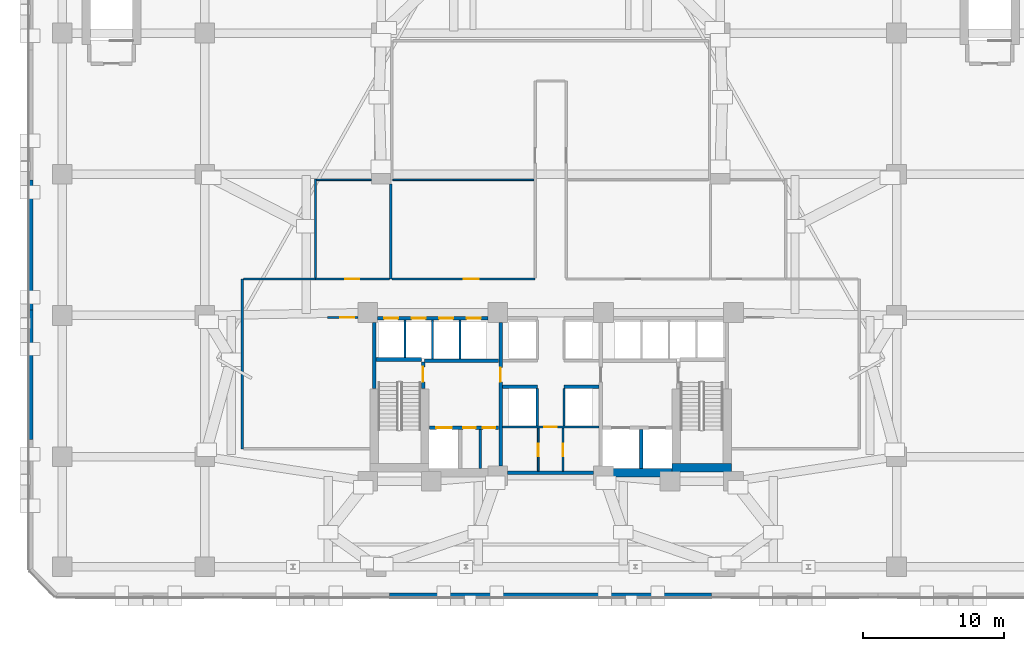
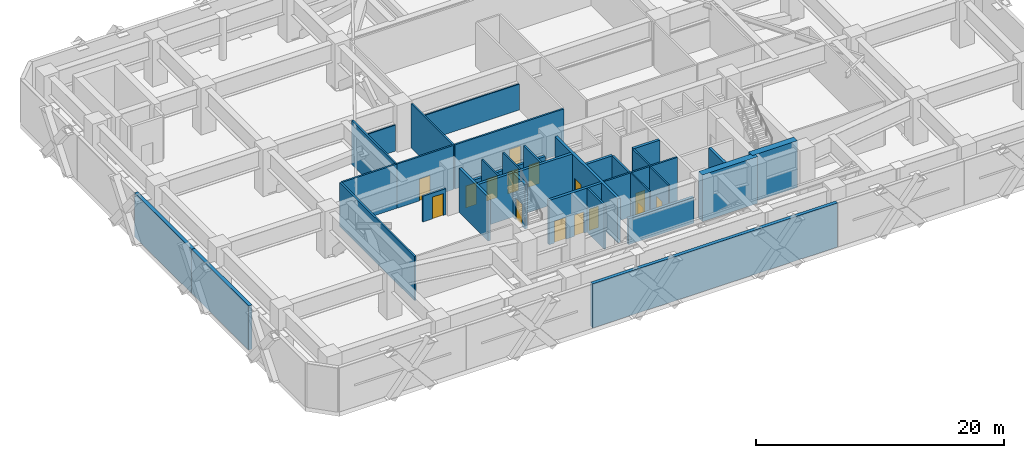
# One storey, part 9 of 14: 34 walls, 15 doors, 15 openings.
"""IFC4 building model written with IfcOpenShell, lengths in metres."""

from ifc_helpers import new_model, si_unit, direction, frame, frame_2d, origin, place, context, subcontext, project, spatial, rectangle, extrude, material, layer, layer_set, type_object, element, fill, save


model = new_model("IFC4")

# Units and contexts
model_context = context("Model", 3, precision=1e-05, world=origin(), true_north=direction((0.0, 1.0)))
body_context = subcontext(model_context, "Body", "Model", "MODEL_VIEW")
ifc_project = project(units=[si_unit("LENGTHUNIT", "METRE"), si_unit("AREAUNIT", "SQUARE_METRE"), si_unit("VOLUMEUNIT", "CUBIC_METRE"), si_unit("PLANEANGLEUNIT", "RADIAN"), si_unit("MASSUNIT", "GRAM", prefix="KILO")], contexts=[model_context])

# Site, building, storey
site_placement = place(None, origin())
site = spatial("IfcSite", under=ifc_project, at=site_placement, CompositionType="ELEMENT")
building_placement = place(site_placement, origin())
building = spatial("IfcBuilding", under=site, at=building_placement, Name="Quenlor Broadcast Tower", CompositionType="ELEMENT")
storey_placement = place(building_placement, frame((0.0, 0.0, 23.0)))
storey = spatial("IfcBuildingStorey", under=building, at=storey_placement, Name="L05", CompositionType="ELEMENT", Elevation=23.0)

# Walls
ifc_material_1 = material(Name="Concrete C65/80", Category="concrete")
ifc_layer_1 = layer(ifc_material_1, 0.60009765625)
ifc_layer_set_1 = layer_set([ifc_layer_1], Name="Core Concrete C65/80 Shear Wall 600")
wall_type_1 = type_object("IfcWallType", Name="Core Concrete C65/80 Shear Wall 600", PredefinedType="SHEAR", material=ifc_layer_set_1)
wall_1_placement = place(storey_placement, frame((3.75, -16.14990234375, 0.0), z_axis=(0.0, 0.0, 1.0), x_axis=(1.0, 0.0, 0.0)))
element("IfcWall", 1, at=wall_1_placement, inside=storey, type_object=wall_type_1, Name="L05 Core Shear Wall WS-E1", PredefinedType="SHEAR", context=body_context, shape_type="SweptSolid", body=[
    extrude(rectangle(XDim=5.14990234375, YDim=0.60009765625, at=frame_2d((2.574951171875, 0.0))), origin(), (0.0, 0.0, 1.0), 4.60009765625),
])
wall_2_placement = place(storey_placement, frame((8.60009765625, -15.800048828125, 0.0), z_axis=(0.0, 0.0, 1.0), x_axis=(1.0, 0.0, 0.0)))
element("IfcWall", 2, at=wall_2_placement, inside=storey, type_object=wall_type_1, Name="L05 Core Shear Wall WS-E2", PredefinedType="SHEAR", context=body_context, shape_type="SweptSolid", body=[
    extrude(rectangle(XDim=4.199951171875, YDim=0.60009765625, at=frame_2d((2.10009765625, 0.0))), origin(), (0.0, 0.0, 1.0), 4.60009765625),
])

# Wall, opening, door
ifc_material_2 = material(Name="Concrete C40/50", Category="concrete")
ifc_layer_2 = layer(ifc_material_2, 0.25)
ifc_layer_set_2 = layer_set([ifc_layer_2], Name="Fire Rated Concrete C40/50 Core Wall 250")
wall_type_2 = type_object("IfcWallType", Name="Fire Rated Concrete C40/50 Core Wall 250", PredefinedType="PARTITIONING", material=ifc_layer_set_2)
wall_3_placement = place(storey_placement, frame((-9.0400390625, -10.179931640625, 0.0), z_axis=(0.0, 0.0, 1.0), x_axis=(0.0, 1.0, 0.0)))
wall_3 = element("IfcWall", 3, at=wall_3_placement, inside=storey, type_object=wall_type_2, Name="L05 Interior Wall CW-ST1-DR", PredefinedType="PARTITIONING", context=body_context, shape_type="SweptSolid", body=[
    extrude(rectangle(XDim=1.89990234375, YDim=0.25, at=frame_2d((0.949951171875, 0.0))), origin(), (0.0, 0.0, 1.0), 4.35009765625),
])
opening_1_placement = place(wall_3_placement, frame((0.47998046875, 0.0, 0.0)))
opening_1 = element("IfcOpeningElement", 4, at=opening_1_placement, cuts=wall_3, Name="Opening FD-1", PredefinedType="OPENING", context=body_context, shape_type="SweptSolid", body=[
    extrude(rectangle(XDim=1.050048828125, YDim=2.14990234375, at=frame_2d((0.52490234375, 1.074951171875))), frame((0.0, 0.135009765625, 0.0), z_axis=(0.0, -1.0, 0.0), x_axis=(1.0, 0.0, 0.0)), (0.0, 0.0, 1.0), 0.27001953125),
])
ifc_material_3 = material(Name="Fire Rated Steel Door Leaf", Category="steel")
door_type_1 = type_object("IfcDoorType", Name="Fire Isolated Stair Door 1050x2150", OperationType="NOTDEFINED", PredefinedType="DOOR", material=ifc_material_3)
door_1_placement = place(opening_1_placement, origin())
door_1 = element("IfcDoor", 5, at=door_1_placement, inside=storey, type_object=door_type_1, Name="L05 Door DR-ST1", OperationType="SINGLE_SWING_LEFT", OverallHeight=2.14990234375, OverallWidth=1.050048828125, PredefinedType="DOOR", context=body_context, shape_type="SweptSolid", body=[
    extrude(rectangle(XDim=1.050048828125, YDim=2.14990234375, at=frame_2d((0.52490234375, 1.074951171875))), frame((0.0, 0.02490234375, 0.0), z_axis=(0.0, -1.0, 0.0), x_axis=(1.0, 0.0, 0.0)), (0.0, 0.0, 1.0), 0.050048828125),
])
fill(opening_1, door_1)

# Walls
wall_4_placement = place(storey_placement, frame((-12.3798828125, -8.1201171875, 0.0), z_axis=(0.0, 0.0, 1.0), x_axis=(1.0, 0.0, 0.0)))
element("IfcWall", 6, at=wall_4_placement, inside=storey, type_object=wall_type_2, Name="L05 Interior Wall CW-ST1-N", PredefinedType="PARTITIONING", context=body_context, shape_type="SweptSolid", body=[
    extrude(rectangle(XDim=3.219970703125, YDim=0.25, at=frame_2d((1.60986328125, 0.0))), origin(), (0.0, 0.0, 1.0), 4.35009765625),
])
wall_5_placement = place(storey_placement, frame((-12.47998046875, -10.179931640625, 0.0), z_axis=(0.0, 0.0, 1.0), x_axis=(0.0, 1.0, 0.0)))
element("IfcWall", 7, at=wall_5_placement, inside=storey, type_object=wall_type_2, Name="L05 Interior Wall CW-ST1-W2", PredefinedType="PARTITIONING", context=body_context, shape_type="SweptSolid", body=[
    extrude(rectangle(XDim=4.677978515625, YDim=0.25, at=frame_2d((2.3388671875, 0.0))), origin(), (0.0, 0.0, 1.0), 4.35009765625),
])

# Wall, openings, doors
wall_6_placement = place(storey_placement, frame((-8.597900390625, -12.949951171875, 0.0), z_axis=(0.0, 0.0, 1.0), x_axis=(1.0, 0.0, 0.0)))
wall_6 = element("IfcWall", 8, at=wall_6_placement, inside=storey, type_object=wall_type_2, Name="L05 Interior Wall CW-FFW-S", PredefinedType="PARTITIONING", context=body_context, shape_type="SweptSolid", body=[
    extrude(rectangle(XDim=4.91796875, YDim=0.25, at=frame_2d((2.458984375, 0.0))), origin(), (0.0, 0.0, 1.0), 4.35009765625),
])
opening_2_placement = place(wall_6_placement, frame((0.498046875, 0.0, 0.0)))
opening_2 = element("IfcOpeningElement", 9, at=opening_2_placement, cuts=wall_6, Name="Opening LD-FFL-1", PredefinedType="OPENING", context=body_context, shape_type="SweptSolid", body=[
    extrude(rectangle(XDim=1.10009765625, YDim=2.14990234375, at=frame_2d((0.550048828125, 1.074951171875))), frame((0.0, 0.135009765625, 0.0), z_axis=(0.0, -1.0, 0.0), x_axis=(1.0, 0.0, 0.0)), (0.0, 0.0, 1.0), 0.27001953125),
])
opening_3_placement = place(wall_6_placement, frame((2.39794921875, 0.0, 0.0)))
opening_3 = element("IfcOpeningElement", 10, at=opening_3_placement, cuts=wall_6, Name="Opening TD-1", PredefinedType="OPENING", context=body_context, shape_type="SweptSolid", body=[
    extrude(rectangle(XDim=0.8798828125, YDim=2.10009765625, at=frame_2d((0.43994140625, 1.050048828125))), frame((0.0, 0.135009765625, 0.0), z_axis=(0.0, -1.0, 0.0), x_axis=(1.0, 0.0, 0.0)), (0.0, 0.0, 1.0), 0.27001953125),
])
opening_4_placement = place(wall_6_placement, frame((3.798095703125, 0.0, 0.0)))
opening_4 = element("IfcOpeningElement", 11, at=opening_4_placement, cuts=wall_6, Name="Opening TD-1", PredefinedType="OPENING", context=body_context, shape_type="SweptSolid", body=[
    extrude(rectangle(XDim=0.8798828125, YDim=2.10009765625, at=frame_2d((0.43994140625, 1.050048828125))), frame((0.0, 0.135009765625, 0.0), z_axis=(0.0, -1.0, 0.0), x_axis=(1.0, 0.0, 0.0)), (0.0, 0.0, 1.0), 0.27001953125),
])
ifc_material_4 = material(Name="Brushed Stainless Steel", Category="steel")
door_type_2 = type_object("IfcDoorType", Name="Emergency Lift Sliding Landing Door 1100x2150", OperationType="NOTDEFINED", PredefinedType="DOOR", material=ifc_material_4)
door_2_placement = place(opening_2_placement, origin())
door_2 = element("IfcDoor", 12, at=door_2_placement, inside=storey, type_object=door_type_2, Name="L05 Door LD-FFL-1", OperationType="SLIDING_TO_LEFT", OverallHeight=2.14990234375, OverallWidth=1.10009765625, PredefinedType="DOOR", context=body_context, shape_type="SweptSolid", body=[
    extrude(rectangle(XDim=1.10009765625, YDim=2.14990234375, at=frame_2d((0.550048828125, 1.074951171875))), frame((0.0, 0.02490234375, 0.0), z_axis=(0.0, -1.0, 0.0), x_axis=(1.0, 0.0, 0.0)), (0.0, 0.0, 1.0), 0.050048828125),
])
fill(opening_2, door_2)
ifc_material_5 = material(Name="Fire Rated Steel Access Panel", Category="steel")
door_type_3 = type_object("IfcDoorType", Name="Riser Shaft Rated Access Trapdoor 880x2100", OperationType="NOTDEFINED", PredefinedType="TRAPDOOR", material=ifc_material_5)
door_3_placement = place(opening_3_placement, origin())
door_3 = element("IfcDoor", 13, at=door_3_placement, inside=storey, type_object=door_type_3, Name="L05 Door DR-ELR", OperationType="SINGLE_SWING_LEFT", OverallHeight=2.10009765625, OverallWidth=0.8798828125, PredefinedType="TRAPDOOR", context=body_context, shape_type="SweptSolid", body=[
    extrude(rectangle(XDim=0.8798828125, YDim=2.10009765625, at=frame_2d((0.43994140625, 1.050048828125))), frame((0.0, 0.02490234375, 0.0), z_axis=(0.0, -1.0, 0.0), x_axis=(1.0, 0.0, 0.0)), (0.0, 0.0, 1.0), 0.050048828125),
])
fill(opening_3, door_3)
door_4_placement = place(opening_4_placement, origin())
door_4 = element("IfcDoor", 14, at=door_4_placement, inside=storey, type_object=door_type_3, Name="L05 Door DR-CMR", OperationType="SINGLE_SWING_RIGHT", OverallHeight=2.10009765625, OverallWidth=0.8798828125, PredefinedType="TRAPDOOR", context=body_context, shape_type="SweptSolid", body=[
    extrude(rectangle(XDim=0.8798828125, YDim=2.10009765625, at=frame_2d((0.43994140625, 1.050048828125))), frame((0.0, 0.02490234375, 0.0), z_axis=(0.0, -1.0, 0.0), x_axis=(1.0, 0.0, 0.0)), (0.0, 0.0, 1.0), 0.050048828125),
])
fill(opening_4, door_4)

# Walls
wall_7_placement = place(storey_placement, frame((6.39990234375, -15.847900390625, 0.0), z_axis=(0.0, 0.0, 1.0), x_axis=(0.0, 1.0, 0.0)))
element("IfcWall", 15, at=wall_7_placement, inside=storey, type_object=wall_type_2, Name="L05 Interior Wall CW-SV1-E", PredefinedType="PARTITIONING", context=body_context, shape_type="SweptSolid", body=[
    extrude(rectangle(XDim=2.7578125, YDim=0.25, at=frame_2d((1.37890625, 0.0))), origin(), (0.0, 0.0, 1.0), 4.35009765625),
])
wall_8_placement = place(storey_placement, frame((-8.919921875, -8.199951171875, 0.0), z_axis=(0.0, 0.0, 1.0), x_axis=(1.0, 0.0, 0.0)))
element("IfcWall", 16, at=wall_8_placement, inside=storey, type_object=wall_type_2, Name="L05 Interior Wall CW-FFW-N", PredefinedType="PARTITIONING", context=body_context, shape_type="SweptSolid", body=[
    extrude(rectangle(XDim=5.239990234375, YDim=0.25, at=frame_2d((2.6201171875, 0.0))), origin(), (0.0, 0.0, 1.0), 4.35009765625),
])

# Wall, opening, door
wall_9_placement = place(storey_placement, frame((-3.550048828125, -15.64794921875, 0.0), z_axis=(0.0, 0.0, 1.0), x_axis=(0.0, 1.0, 0.0)))
wall_9 = element("IfcWall", 17, at=wall_9_placement, inside=storey, type_object=wall_type_2, Name="L05 Interior Wall CW-FFW-E", PredefinedType="PARTITIONING", context=body_context, shape_type="SweptSolid", body=[
    extrude(rectangle(XDim=10.14599609375, YDim=0.25, at=frame_2d((5.072998046875, 0.0))), origin(), (0.0, 0.0, 1.0), 4.35009765625),
])
opening_5_placement = place(wall_9_placement, frame((5.947998046875, 0.0, 0.0)))
opening_5 = element("IfcOpeningElement", 18, at=opening_5_placement, cuts=wall_9, Name="Opening FD-2", PredefinedType="OPENING", context=body_context, shape_type="SweptSolid", body=[
    extrude(rectangle(XDim=1.0, YDim=2.14990234375, at=frame_2d((0.5, 1.074951171875))), frame((0.0, 0.135009765625, 0.0), z_axis=(0.0, -1.0, 0.0), x_axis=(1.0, 0.0, 0.0)), (0.0, 0.0, 1.0), 0.27001953125),
])
ifc_material_6 = material(Name="Fire Rated Glazed Steel Door", Category="steel")
door_type_4 = type_object("IfcDoorType", Name="Firefighting Lobby Smoke Door 1000x2150", OperationType="NOTDEFINED", PredefinedType="DOOR", material=ifc_material_6)
door_5_placement = place(opening_5_placement, origin())
door_5 = element("IfcDoor", 19, at=door_5_placement, inside=storey, type_object=door_type_4, Name="L05 Door DR-FFLW", OperationType="SINGLE_SWING_RIGHT", OverallHeight=2.14990234375, OverallWidth=1.0, PredefinedType="DOOR", context=body_context, shape_type="SweptSolid", body=[
    extrude(rectangle(XDim=1.0, YDim=2.14990234375, at=frame_2d((0.5, 1.074951171875))), frame((0.0, 0.02490234375, 0.0), z_axis=(0.0, -1.0, 0.0), x_axis=(1.0, 0.0, 0.0)), (0.0, 0.0, 1.0), 0.050048828125),
])
fill(opening_5, door_5)

# Wall, openings, doors
wall_10_placement = place(storey_placement, frame((-12.248046875, -5.199951171875, 0.0), z_axis=(0.0, 0.0, 1.0), x_axis=(1.0, 0.0, 0.0)))
wall_10 = element("IfcWall", 20, at=wall_10_placement, inside=storey, type_object=wall_type_2, Name="L05 Interior Wall CW-N-W", PredefinedType="PARTITIONING", context=body_context, shape_type="SweptSolid", body=[
    extrude(rectangle(XDim=7.796142578125, YDim=0.25, at=frame_2d((3.89794921875, 0.0))), origin(), (0.0, 0.0, 1.0), 2.550048828125),
])
opening_6_placement = place(wall_10_placement, frame((0.447998046875, 0.0, 0.0)))
opening_6 = element("IfcOpeningElement", 21, at=opening_6_placement, cuts=wall_10, Name="Opening LD-PL-L1", PredefinedType="OPENING", context=body_context, shape_type="SweptSolid", body=[
    extrude(rectangle(XDim=1.0, YDim=2.14990234375, at=frame_2d((0.5, 1.074951171875))), frame((0.0, 0.135009765625, 0.0), z_axis=(0.0, -1.0, 0.0), x_axis=(1.0, 0.0, 0.0)), (0.0, 0.0, 1.0), 0.27001953125),
])
opening_7_placement = place(wall_10_placement, frame((2.39794921875, 0.0, 0.0)))
opening_7 = element("IfcOpeningElement", 22, at=opening_7_placement, cuts=wall_10, Name="Opening LD-PL-L2", PredefinedType="OPENING", context=body_context, shape_type="SweptSolid", body=[
    extrude(rectangle(XDim=1.0, YDim=2.14990234375, at=frame_2d((0.5, 1.074951171875))), frame((0.0, 0.135009765625, 0.0), z_axis=(0.0, -1.0, 0.0), x_axis=(1.0, 0.0, 0.0)), (0.0, 0.0, 1.0), 0.27001953125),
])
opening_8_placement = place(wall_10_placement, frame((4.347900390625, 0.0, 0.0)))
opening_8 = element("IfcOpeningElement", 23, at=opening_8_placement, cuts=wall_10, Name="Opening LD-PL-L3", PredefinedType="OPENING", context=body_context, shape_type="SweptSolid", body=[
    extrude(rectangle(XDim=1.0, YDim=2.14990234375, at=frame_2d((0.5, 1.074951171875))), frame((0.0, 0.135009765625, 0.0), z_axis=(0.0, -1.0, 0.0), x_axis=(1.0, 0.0, 0.0)), (0.0, 0.0, 1.0), 0.27001953125),
])
opening_9_placement = place(wall_10_placement, frame((6.298095703125, 0.0, 0.0)))
opening_9 = element("IfcOpeningElement", 24, at=opening_9_placement, cuts=wall_10, Name="Opening LD-PL-L4", PredefinedType="OPENING", context=body_context, shape_type="SweptSolid", body=[
    extrude(rectangle(XDim=1.0, YDim=2.14990234375, at=frame_2d((0.5, 1.074951171875))), frame((0.0, 0.135009765625, 0.0), z_axis=(0.0, -1.0, 0.0), x_axis=(1.0, 0.0, 0.0)), (0.0, 0.0, 1.0), 0.27001953125),
])
ifc_material_7 = material(Name="Brushed Stainless Steel", Category="steel")
door_type_5 = type_object("IfcDoorType", Name="Passenger Lift Sliding Landing Door 1000x2150", OperationType="NOTDEFINED", PredefinedType="DOOR", material=ifc_material_7)
door_6_placement = place(opening_6_placement, origin())
door_6 = element("IfcDoor", 25, at=door_6_placement, inside=storey, type_object=door_type_5, Name="L05 Door LD-PL-L1", OperationType="SLIDING_TO_LEFT", OverallHeight=2.14990234375, OverallWidth=1.0, PredefinedType="DOOR", context=body_context, shape_type="SweptSolid", body=[
    extrude(rectangle(XDim=1.0, YDim=2.14990234375, at=frame_2d((0.5, 1.074951171875))), frame((0.0, 0.02490234375, 0.0), z_axis=(0.0, -1.0, 0.0), x_axis=(1.0, 0.0, 0.0)), (0.0, 0.0, 1.0), 0.050048828125),
])
fill(opening_6, door_6)
door_7_placement = place(opening_7_placement, origin())
door_7 = element("IfcDoor", 26, at=door_7_placement, inside=storey, type_object=door_type_5, Name="L05 Door LD-PL-L2", OperationType="SLIDING_TO_LEFT", OverallHeight=2.14990234375, OverallWidth=1.0, PredefinedType="DOOR", context=body_context, shape_type="SweptSolid", body=[
    extrude(rectangle(XDim=1.0, YDim=2.14990234375, at=frame_2d((0.5, 1.074951171875))), frame((0.0, 0.02490234375, 0.0), z_axis=(0.0, -1.0, 0.0), x_axis=(1.0, 0.0, 0.0)), (0.0, 0.0, 1.0), 0.050048828125),
])
fill(opening_7, door_7)
door_8_placement = place(opening_8_placement, origin())
door_8 = element("IfcDoor", 27, at=door_8_placement, inside=storey, type_object=door_type_5, Name="L05 Door LD-PL-L3", OperationType="SLIDING_TO_LEFT", OverallHeight=2.14990234375, OverallWidth=1.0, PredefinedType="DOOR", context=body_context, shape_type="SweptSolid", body=[
    extrude(rectangle(XDim=1.0, YDim=2.14990234375, at=frame_2d((0.5, 1.074951171875))), frame((0.0, 0.02490234375, 0.0), z_axis=(0.0, -1.0, 0.0), x_axis=(1.0, 0.0, 0.0)), (0.0, 0.0, 1.0), 0.050048828125),
])
fill(opening_8, door_8)
door_9_placement = place(opening_9_placement, origin())
door_9 = element("IfcDoor", 28, at=door_9_placement, inside=storey, type_object=door_type_5, Name="L05 Door LD-PL-L4", OperationType="SLIDING_TO_LEFT", OverallHeight=2.14990234375, OverallWidth=1.0, PredefinedType="DOOR", context=body_context, shape_type="SweptSolid", body=[
    extrude(rectangle(XDim=1.0, YDim=2.14990234375, at=frame_2d((0.5, 1.074951171875))), frame((0.0, 0.02490234375, 0.0), z_axis=(0.0, -1.0, 0.0), x_axis=(1.0, 0.0, 0.0)), (0.0, 0.0, 1.0), 0.050048828125),
])
fill(opening_9, door_9)

# Walls
wall_11_placement = place(storey_placement, frame((-3.048095703125, -16.14990234375, 0.0), z_axis=(0.0, 0.0, 1.0), x_axis=(1.0, 0.0, 0.0)))
element("IfcWall", 29, at=wall_11_placement, inside=storey, type_object=wall_type_2, Name="L05 Interior Wall CW-MS-S", PredefinedType="PARTITIONING", context=body_context, shape_type="SweptSolid", body=[
    extrude(rectangle(XDim=6.09619140625, YDim=0.25, at=frame_2d((3.048095703125, 0.0))), origin(), (0.0, 0.0, 1.0), 2.550048828125),
])
for number, where, z_axis, x_axis, name in (
    (30, (-3.419921875, -10.050048828125, 0.0), (0.0, 0.0, 1.0), (1.0, 0.0, 0.0), "L05 Interior Wall CW-MS-N1"),
    (31, (0.949951171875, -10.050048828125, 0.0), (0.0, 0.0, 1.0), (1.0, 0.0, 0.0), "L05 Interior Wall CW-MS-N2"),
):
    element("IfcWall", number, at=place(storey_placement, frame(where, z_axis=z_axis, x_axis=x_axis)), inside=storey, type_object=wall_type_2, Name=name, PredefinedType="PARTITIONING", context=body_context, shape_type="SweptSolid", body=[
        extrude(rectangle(XDim=2.469970703125, YDim=0.25, at=frame_2d((1.23486328125, 0.0))), origin(), (0.0, 0.0, 1.0), 4.35009765625),
    ])
ifc_material_8 = material(Name="Gypsum Fireboard Partition", Category="other")
ifc_layer_3 = layer(ifc_material_8, 0.159912109375)
ifc_layer_set_3 = layer_set([ifc_layer_3], Name="Fire Rated Shaft and Corridor Partition 160")
wall_type_3 = type_object("IfcWallType", Name="Fire Rated Shaft and Corridor Partition 160", PredefinedType="PARTITIONING", material=ifc_layer_set_3)
wall_12_placement = place(storey_placement, frame((-4.97998046875, -15.847900390625, 0.0), z_axis=(0.0, 0.0, 1.0), x_axis=(0.0, 1.0, 0.0)))
element("IfcWall", 32, at=wall_12_placement, inside=storey, type_object=wall_type_3, Name="L05 Interior Wall CW-ELR-E", PredefinedType="PARTITIONING", context=body_context, shape_type="SweptSolid", body=[
    extrude(rectangle(XDim=2.7578125, YDim=0.159912109375, at=frame_2d((1.37890625, 0.0))), origin(), (0.0, 0.0, 1.0), 4.35009765625),
])
wall_13_placement = place(storey_placement, frame((-10.324951171875, -7.992919921875, 0.0), z_axis=(0.0, 0.0, 1.0), x_axis=(0.0, 1.0, 0.0)))
element("IfcWall", 33, at=wall_13_placement, inside=storey, type_object=wall_type_3, Name="L05 Interior Wall CW-PLL-D1", PredefinedType="PARTITIONING", context=body_context, shape_type="SweptSolid", body=[
    extrude(rectangle(XDim=2.65283203125, YDim=0.159912109375, at=frame_2d((1.326416015625, 0.0))), origin(), (0.0, 0.0, 1.0), 4.35009765625),
])
for number, where, z_axis, x_axis, name in (
    (34, (-8.375, -8.072998046875, 0.0), (0.0, 0.0, 1.0), (0.0, 1.0, 0.0), "L05 Interior Wall CW-PLL-D2"),
    (35, (-6.425048828125, -8.072998046875, 0.0), (0.0, 0.0, 1.0), (0.0, 1.0, 0.0), "L05 Interior Wall CW-PLL-D3"),
):
    element("IfcWall", number, at=place(storey_placement, frame(where, z_axis=z_axis, x_axis=x_axis)), inside=storey, type_object=wall_type_3, Name=name, PredefinedType="PARTITIONING", context=body_context, shape_type="SweptSolid", body=[
        extrude(rectangle(XDim=2.73291015625, YDim=0.159912109375, at=frame_2d((1.366455078125, 0.0))), origin(), (0.0, 0.0, 1.0), 4.35009765625),
    ])

# Wall, opening, door
wall_14_placement = place(storey_placement, frame((-3.419921875, -12.89990234375, 0.0), z_axis=(0.0, 0.0, 1.0), x_axis=(1.0, 0.0, 0.0)))
wall_14 = element("IfcWall", 36, at=wall_14_placement, inside=storey, type_object=wall_type_3, Name="L05 Interior Wall CW-MS-B", PredefinedType="PARTITIONING", context=body_context, shape_type="SweptSolid", body=[
    extrude(rectangle(XDim=6.83984375, YDim=0.159912109375, at=frame_2d((3.419921875, 0.0))), origin(), (0.0, 0.0, 1.0), 4.35009765625),
])
opening_10_placement = place(wall_14_placement, frame((2.97998046875, 0.0, 0.0)))
opening_10 = element("IfcOpeningElement", 37, at=opening_10_placement, cuts=wall_14, Name="Opening ID-4", PredefinedType="OPENING", context=body_context, shape_type="SweptSolid", body=[
    extrude(rectangle(XDim=0.8798828125, YDim=2.1201171875, at=frame_2d((0.43994140625, 1.06005859375))), frame((0.0, 0.08984375, 0.0), z_axis=(0.0, -1.0, 0.0), x_axis=(1.0, 0.0, 0.0)), (0.0, 0.0, 1.0), 0.179931640625),
])
ifc_material_9 = material(Name="Solid Core Timber Oak", Category="wood")
door_type_6 = type_object("IfcDoorType", Name="Service Closet Timber Door 880x2120", OperationType="NOTDEFINED", PredefinedType="DOOR", material=ifc_material_9)
door_10_placement = place(opening_10_placement, origin())
door_10 = element("IfcDoor", 38, at=door_10_placement, inside=storey, type_object=door_type_6, Name="L05 Door DR-CSV0", OperationType="SINGLE_SWING_LEFT", OverallHeight=2.1201171875, OverallWidth=0.8798828125, PredefinedType="DOOR", context=body_context, shape_type="SweptSolid", body=[
    extrude(rectangle(XDim=0.8798828125, YDim=2.1201171875, at=frame_2d((0.43994140625, 1.06005859375))), frame((0.0, 0.02490234375, 0.0), z_axis=(0.0, -1.0, 0.0), x_axis=(1.0, 0.0, 0.0)), (0.0, 0.0, 1.0), 0.050048828125),
])
fill(opening_10, door_10)

# Walls
for number, where, z_axis, x_axis, name in (
    (39, (-0.949951171875, -12.818115234375, 0.0), (0.0, 0.0, 1.0), (0.0, 1.0, 0.0), "L05 Interior Wall CW-MS-W"),
    (40, (0.949951171875, -12.818115234375, 0.0), (0.0, 0.0, 1.0), (0.0, 1.0, 0.0), "L05 Interior Wall CW-MS-E"),
):
    element("IfcWall", number, at=place(storey_placement, frame(where, z_axis=z_axis, x_axis=x_axis)), inside=storey, type_object=wall_type_3, Name=name, PredefinedType="PARTITIONING", context=body_context, shape_type="SweptSolid", body=[
        extrude(rectangle(XDim=2.63818359375, YDim=0.159912109375, at=frame_2d((1.319091796875, 0.0))), origin(), (0.0, 0.0, 1.0), 4.35009765625),
    ])
wall_15_placement = place(storey_placement, frame((-21.85009765625, -14.449951171875, 0.0), z_axis=(0.0, 0.0, 1.0), x_axis=(0.0, 1.0, 0.0)))
element("IfcWall", 41, at=wall_15_placement, inside=storey, type_object=wall_type_3, Name="L05 Interior Wall PW-L05-RW-W", PredefinedType="PARTITIONING", context=body_context, shape_type="SweptSolid", body=[
    extrude(rectangle(XDim=12.030029296875, YDim=0.159912109375, at=frame_2d((6.01513671875, 0.0))), origin(), (0.0, 0.0, 1.0), 4.35009765625),
])
wall_16_placement = place(storey_placement, frame((-21.76806640625, -2.419921875, 0.0), z_axis=(0.0, 0.0, 1.0), x_axis=(1.0, 0.0, 0.0)))
element("IfcWall", 42, at=wall_16_placement, inside=storey, type_object=wall_type_3, Name="L05 Interior Wall PW-L05-RW-N", PredefinedType="PARTITIONING", context=body_context, shape_type="SweptSolid", body=[
    extrude(rectangle(XDim=5.1181640625, YDim=0.159912109375, at=frame_2d((2.55908203125, 0.0))), origin(), (0.0, 0.0, 1.0), 4.35009765625),
])
wall_17_placement = place(storey_placement, frame((-16.64990234375, -2.337890625, 0.0), z_axis=(0.0, 0.0, 1.0), x_axis=(0.0, 1.0, 0.0)))
element("IfcWall", 43, at=wall_17_placement, inside=storey, type_object=wall_type_3, Name="L05 Interior Wall PW-L05-P1W", PredefinedType="PARTITIONING", context=body_context, shape_type="SweptSolid", body=[
    extrude(rectangle(XDim=7.0078125, YDim=0.159912109375, at=frame_2d((3.50390625, 0.0))), origin(), (0.0, 0.0, 1.0), 4.35009765625),
])
wall_18_placement = place(storey_placement, frame((-11.320068359375, -2.419921875, 0.0), z_axis=(0.0, 0.0, 1.0), x_axis=(0.0, 1.0, 0.0)))
element("IfcWall", 44, at=wall_18_placement, inside=storey, type_object=wall_type_3, Name="L05 Interior Wall PW-L05-RMW", PredefinedType="PARTITIONING", context=body_context, shape_type="SweptSolid", body=[
    extrude(rectangle(XDim=6.718017578125, YDim=0.159912109375, at=frame_2d((3.35888671875, 0.0))), origin(), (0.0, 0.0, 1.0), 4.35009765625),
])

# Wall, opening, door
wall_19_placement = place(storey_placement, frame((-16.64794921875, -2.419921875, 0.0), z_axis=(0.0, 0.0, 1.0), x_axis=(1.0, 0.0, 0.0)))
wall_19 = element("IfcWall", 45, at=wall_19_placement, inside=storey, type_object=wall_type_3, Name="L05 Interior Wall PW-PL-HW", PredefinedType="PARTITIONING", context=body_context, shape_type="SweptSolid", body=[
    extrude(rectangle(XDim=5.245849609375, YDim=0.159912109375, at=frame_2d((2.623046875, 0.0))), origin(), (0.0, 0.0, 1.0), 4.35009765625),
])
opening_11_placement = place(wall_19_placement, frame((2.097900390625, 0.0, 0.0)))
opening_11 = element("IfcOpeningElement", 46, at=opening_11_placement, cuts=wall_19, Name="Opening FD-2", PredefinedType="OPENING", context=body_context, shape_type="SweptSolid", body=[
    extrude(rectangle(XDim=1.0, YDim=2.14990234375, at=frame_2d((0.5, 1.074951171875))), frame((0.0, 0.08984375, 0.0), z_axis=(0.0, -1.0, 0.0), x_axis=(1.0, 0.0, 0.0)), (0.0, 0.0, 1.0), 0.179931640625),
])
door_11_placement = place(opening_11_placement, origin())
door_11 = element("IfcDoor", 47, at=door_11_placement, inside=storey, type_object=door_type_4, Name="L05 Door DR-REFW2", OperationType="SINGLE_SWING_LEFT", OverallHeight=2.14990234375, OverallWidth=1.0, PredefinedType="DOOR", context=body_context, shape_type="SweptSolid", body=[
    extrude(rectangle(XDim=1.0, YDim=2.14990234375, at=frame_2d((0.5, 1.074951171875))), frame((0.0, 0.02490234375, 0.0), z_axis=(0.0, -1.0, 0.0), x_axis=(1.0, 0.0, 0.0)), (0.0, 0.0, 1.0), 0.050048828125),
])
fill(opening_11, door_11)

wall_20_placement = place(storey_placement, frame((-11.238037109375, -2.419921875, 0.0), z_axis=(0.0, 0.0, 1.0), x_axis=(1.0, 0.0, 0.0)))
wall_20 = element("IfcWall", 48, at=wall_20_placement, inside=storey, type_object=wall_type_3, Name="L05 Interior Wall PW-PL-HWS2", PredefinedType="PARTITIONING", context=body_context, shape_type="SweptSolid", body=[
    extrude(rectangle(XDim=10.137939453125, YDim=0.159912109375, at=frame_2d((5.06884765625, 0.0))), origin(), (0.0, 0.0, 1.0), 4.35009765625),
])
opening_12_placement = place(wall_20_placement, frame((5.087890625, 0.0, 0.0)))
opening_12 = element("IfcOpeningElement", 49, at=opening_12_placement, cuts=wall_20, Name="Opening FD-3", PredefinedType="OPENING", context=body_context, shape_type="SweptSolid", body=[
    extrude(rectangle(XDim=1.050048828125, YDim=2.1201171875, at=frame_2d((0.52490234375, 1.06005859375))), frame((0.0, 0.08984375, 0.0), z_axis=(0.0, -1.0, 0.0), x_axis=(1.0, 0.0, 0.0)), (0.0, 0.0, 1.0), 0.179931640625),
])
ifc_material_10 = material(Name="Galvanised Fire Steel Leaf", Category="steel")
door_type_7 = type_object("IfcDoorType", Name="Plant Room Fire Rated Door 1050x2120", OperationType="NOTDEFINED", PredefinedType="DOOR", material=ifc_material_10)
door_12_placement = place(opening_12_placement, origin())
door_12 = element("IfcDoor", 50, at=door_12_placement, inside=storey, type_object=door_type_7, Name="L05 Door DR-PLT1", OperationType="SINGLE_SWING_LEFT", OverallHeight=2.1201171875, OverallWidth=1.050048828125, PredefinedType="DOOR", context=body_context, shape_type="SweptSolid", body=[
    extrude(rectangle(XDim=1.050048828125, YDim=2.1201171875, at=frame_2d((0.52490234375, 1.06005859375))), frame((0.0, 0.02490234375, 0.0), z_axis=(0.0, -1.0, 0.0), x_axis=(1.0, 0.0, 0.0)), (0.0, 0.0, 1.0), 0.050048828125),
])
fill(opening_12, door_12)

wall_21_placement = place(storey_placement, frame((-15.800048828125, -5.14990234375, 0.0), z_axis=(0.0, 0.0, 1.0), x_axis=(1.0, 0.0, 0.0)))
wall_21 = element("IfcWall", 51, at=wall_21_placement, inside=storey, type_object=wall_type_3, Name="L05 Interior Wall PW-RF-W", PredefinedType="PARTITIONING", context=body_context, shape_type="SweptSolid", body=[
    extrude(rectangle(XDim=2.14794921875, YDim=0.159912109375, at=frame_2d((1.073974609375, 0.0))), origin(), (0.0, 0.0, 1.0), 2.550048828125),
])
opening_13_placement = place(wall_21_placement, frame((0.889892578125, 0.0, 0.0)))
opening_13 = element("IfcOpeningElement", 52, at=opening_13_placement, cuts=wall_21, Name="Opening FD-2", PredefinedType="OPENING", context=body_context, shape_type="SweptSolid", body=[
    extrude(rectangle(XDim=1.0, YDim=2.14990234375, at=frame_2d((0.5, 1.074951171875))), frame((0.0, 0.08984375, 0.0), z_axis=(0.0, -1.0, 0.0), x_axis=(1.0, 0.0, 0.0)), (0.0, 0.0, 1.0), 0.179931640625),
])
door_13_placement = place(opening_13_placement, origin())
door_13 = element("IfcDoor", 53, at=door_13_placement, inside=storey, type_object=door_type_4, Name="L05 Door DR-REFW", OperationType="SINGLE_SWING_LEFT", OverallHeight=2.14990234375, OverallWidth=1.0, PredefinedType="DOOR", context=body_context, shape_type="SweptSolid", body=[
    extrude(rectangle(XDim=1.0, YDim=2.14990234375, at=frame_2d((0.5, 1.074951171875))), frame((0.0, 0.02490234375, 0.0), z_axis=(0.0, -1.0, 0.0), x_axis=(1.0, 0.0, 0.0)), (0.0, 0.0, 1.0), 0.050048828125),
])
fill(opening_13, door_13)

ifc_material_11 = material(Name="Gypsum Plasterboard Partition", Category="other")
ifc_layer_4 = layer(ifc_material_11, 0.1201171875)
ifc_layer_set_4 = layer_set([ifc_layer_4], Name="Standard Office Partition 120")
wall_type_4 = type_object("IfcWallType", Name="Standard Office Partition 120", PredefinedType="PARTITIONING", material=ifc_layer_set_4)
wall_22_placement = place(storey_placement, frame((-0.8798828125, -16.02001953125, 0.0), z_axis=(0.0, 0.0, 1.0), x_axis=(0.0, 1.0, 0.0)))
wall_22 = element("IfcWall", 54, at=wall_22_placement, inside=storey, type_object=wall_type_4, Name="L05 Interior Wall CW-CSV-W3", PredefinedType="PARTITIONING", context=body_context, shape_type="SweptSolid", body=[
    extrude(rectangle(XDim=3.0380859375, YDim=0.1201171875, at=frame_2d((1.51904296875, 0.0))), origin(), (0.0, 0.0, 1.0), 4.35009765625),
])
opening_14_placement = place(wall_22_placement, frame((1.050048828125, 0.0, 0.0)))
opening_14 = element("IfcOpeningElement", 55, at=opening_14_placement, cuts=wall_22, Name="Opening ID-4", PredefinedType="OPENING", context=body_context, shape_type="SweptSolid", body=[
    extrude(rectangle(XDim=0.8798828125, YDim=2.1201171875, at=frame_2d((0.43994140625, 1.06005859375))), frame((0.0, 0.070068359375, 0.0), z_axis=(0.0, -1.0, 0.0), x_axis=(1.0, 0.0, 0.0)), (0.0, 0.0, 1.0), 0.14013671875),
])
door_14_placement = place(opening_14_placement, origin())
door_14 = element("IfcDoor", 56, at=door_14_placement, inside=storey, type_object=door_type_6, Name="L05 Door DR-CSV1", OperationType="SINGLE_SWING_LEFT", OverallHeight=2.1201171875, OverallWidth=0.8798828125, PredefinedType="DOOR", context=body_context, shape_type="SweptSolid", body=[
    extrude(rectangle(XDim=0.8798828125, YDim=2.1201171875, at=frame_2d((0.43994140625, 1.06005859375))), frame((0.0, 0.02490234375, 0.0), z_axis=(0.0, -1.0, 0.0), x_axis=(1.0, 0.0, 0.0)), (0.0, 0.0, 1.0), 0.050048828125),
])
fill(opening_14, door_14)

wall_23_placement = place(storey_placement, frame((0.8798828125, -16.02001953125, 0.0), z_axis=(0.0, 0.0, 1.0), x_axis=(0.0, 1.0, 0.0)))
wall_23 = element("IfcWall", 57, at=wall_23_placement, inside=storey, type_object=wall_type_4, Name="L05 Interior Wall CW-CSV-E3", PredefinedType="PARTITIONING", context=body_context, shape_type="SweptSolid", body=[
    extrude(rectangle(XDim=3.0380859375, YDim=0.1201171875, at=frame_2d((1.51904296875, 0.0))), origin(), (0.0, 0.0, 1.0), 4.35009765625),
])
opening_15_placement = place(wall_23_placement, frame((1.050048828125, 0.0, 0.0)))
opening_15 = element("IfcOpeningElement", 58, at=opening_15_placement, cuts=wall_23, Name="Opening ID-4", PredefinedType="OPENING", context=body_context, shape_type="SweptSolid", body=[
    extrude(rectangle(XDim=0.8798828125, YDim=2.1201171875, at=frame_2d((0.43994140625, 1.06005859375))), frame((0.0, 0.070068359375, 0.0), z_axis=(0.0, -1.0, 0.0), x_axis=(1.0, 0.0, 0.0)), (0.0, 0.0, 1.0), 0.14013671875),
])
door_15_placement = place(opening_15_placement, origin())
door_15 = element("IfcDoor", 59, at=door_15_placement, inside=storey, type_object=door_type_6, Name="L05 Door DR-CSV2", OperationType="SINGLE_SWING_RIGHT", OverallHeight=2.1201171875, OverallWidth=0.8798828125, PredefinedType="DOOR", context=body_context, shape_type="SweptSolid", body=[
    extrude(rectangle(XDim=0.8798828125, YDim=2.1201171875, at=frame_2d((0.43994140625, 1.06005859375))), frame((0.0, 0.02490234375, 0.0), z_axis=(0.0, -1.0, 0.0), x_axis=(1.0, 0.0, 0.0)), (0.0, 0.0, 1.0), 0.050048828125),
])
fill(opening_15, door_15)

# Walls
wall_24_placement = place(storey_placement, frame((-16.568115234375, 4.60009765625, 0.0), z_axis=(0.0, 0.0, 1.0), x_axis=(1.0, 0.0, 0.0)))
element("IfcWall", 60, at=wall_24_placement, inside=storey, type_object=wall_type_4, Name="L05 Interior Wall PW-PL-YW", PredefinedType="PARTITIONING", context=body_context, shape_type="SweptSolid", body=[
    extrude(rectangle(XDim=3.8662109375, YDim=0.1201171875, at=frame_2d((1.93310546875, 0.0))), origin(), (0.0, 0.0, 1.0), 2.550048828125),
])
wall_25_placement = place(storey_placement, frame((-11.16796875, 4.60009765625, 0.0), z_axis=(0.0, 0.0, 1.0), x_axis=(1.0, 0.0, 0.0)))
element("IfcWall", 61, at=wall_25_placement, inside=storey, type_object=wall_type_4, Name="L05 Interior Wall PW-PL-YWS2", PredefinedType="PARTITIONING", context=body_context, shape_type="SweptSolid", body=[
    extrude(rectangle(XDim=9.986083984375, YDim=0.1201171875, at=frame_2d((4.9931640625, 0.0))), origin(), (0.0, 0.0, 1.0), 2.550048828125),
])
ifc_material_12 = material(Name="Precast concrete C40/50", Category="concrete")
ifc_layer_5 = layer(ifc_material_12, 0.320068359375)
ifc_layer_set_5 = layer_set([ifc_layer_5], Name="Station Podium Precast Concrete C40/50 Facade Wall 320")
wall_type_5 = type_object("IfcWallType", Name="Station Podium Precast Concrete C40/50 Facade Wall 320", PredefinedType="STANDARD", material=ifc_layer_set_5)
wall_26_placement = place(storey_placement, frame((11.39990234375, -24.820068359375, 0.0), z_axis=(0.0, 0.0, 1.0), x_axis=(-1.0, 0.0, 0.0)))
element("IfcWall", 62, at=wall_26_placement, inside=storey, type_object=wall_type_5, Name="L05 Exterior Wall L05-EW-SM", PredefinedType="STANDARD", context=body_context, shape_type="SweptSolid", body=[
    extrude(rectangle(XDim=22.7998046875, YDim=0.320068359375, at=frame_2d((11.39990234375, 0.0))), origin(), (0.0, 0.0, 1.0), 4.35009765625),
])
wall_27_placement = place(storey_placement, frame((-36.820068359375, -13.800048828125, 0.0), z_axis=(0.0, 0.0, 1.0), x_axis=(0.0, 1.0, 0.0)))
element("IfcWall", 63, at=wall_27_placement, inside=storey, type_object=wall_type_5, Name="L05 Exterior Wall L05-EW-W2", PredefinedType="STANDARD", context=body_context, shape_type="SweptSolid", body=[
    extrude(rectangle(XDim=9.199951171875, YDim=0.320068359375, at=frame_2d((4.60009765625, 0.0))), origin(), (0.0, 0.0, 1.0), 4.35009765625),
])
wall_28_placement = place(storey_placement, frame((-36.820068359375, -4.60009765625, 0.0), z_axis=(0.0, 0.0, 1.0), x_axis=(0.0, 1.0, 0.0)))
element("IfcWall", 64, at=wall_28_placement, inside=storey, type_object=wall_type_5, Name="L05 Exterior Wall L05-EW-W3", PredefinedType="STANDARD", context=body_context, shape_type="SweptSolid", body=[
    extrude(rectangle(XDim=9.2001953125, YDim=0.320068359375, at=frame_2d((4.60009765625, 0.0))), origin(), (0.0, 0.0, 1.0), 4.35009765625),
])

save(model, "model.ifc")
